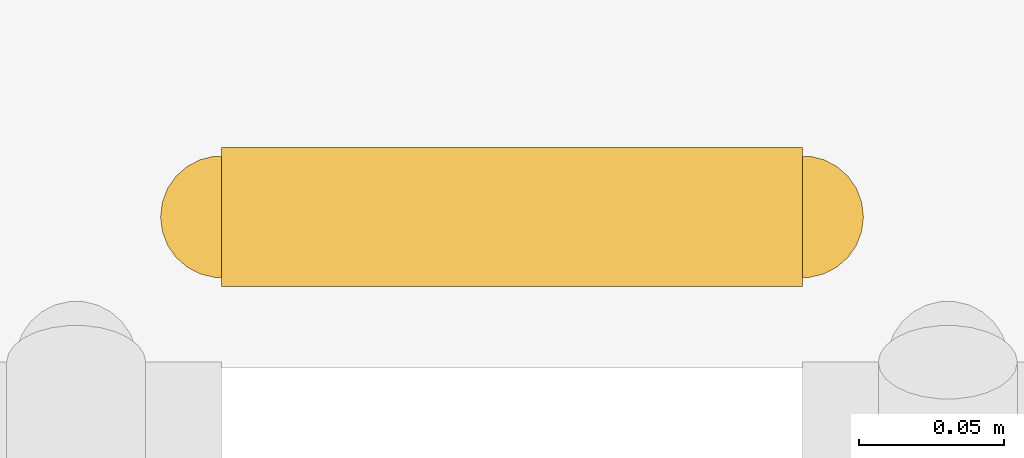
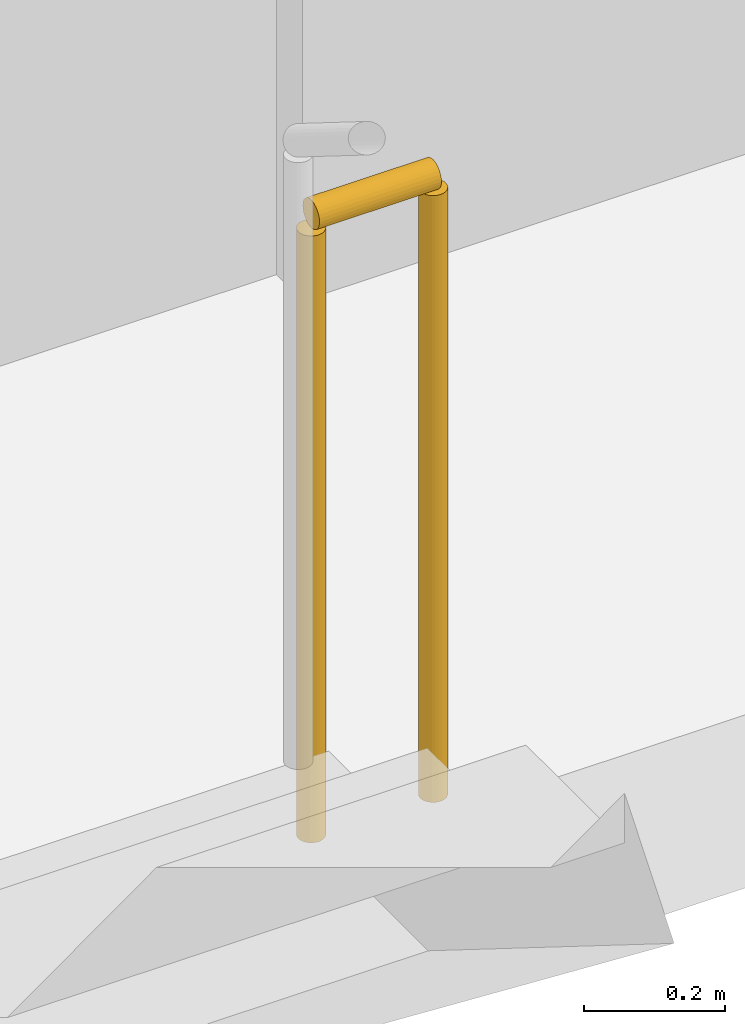
# One storey, part 22 of 22: 1 railing.
"""IFC4 building model written with IfcOpenShell, lengths in metres."""

from ifc_helpers import new_model, si_unit, direction, frame, origin, origin_2d, place, context, subcontext, project, spatial, circle, extrude, material, type_object, element, save


model = new_model("IFC4")

# Units and contexts
model_context = context("Model", 3, precision=1e-05, world=origin(), true_north=direction((0.0, 1.0)))
body_context = subcontext(model_context, "Body", "Model", "MODEL_VIEW")
ifc_project = project(units=[si_unit("LENGTHUNIT", "METRE"), si_unit("AREAUNIT", "SQUARE_METRE"), si_unit("VOLUMEUNIT", "CUBIC_METRE"), si_unit("PLANEANGLEUNIT", "RADIAN"), si_unit("MASSUNIT", "GRAM", prefix="KILO")], contexts=[model_context])

# Site, building, storey
site_placement = place(None, origin())
site = spatial("IfcSite", under=ifc_project, at=site_placement, CompositionType="ELEMENT")
building_placement = place(site_placement, origin())
building = spatial("IfcBuilding", under=site, at=building_placement, Name="Kiln Ring Residences", CompositionType="ELEMENT")
storey_placement = place(building_placement, frame((0.0, 0.0, 58.5)))
storey = spatial("IfcBuildingStorey", under=building, at=storey_placement, Name="L14", CompositionType="ELEMENT", Elevation=58.5)

# Railing
ifc_material = material(Name="Stainless steel", Category="steel")
railing_type = type_object("IfcRailingType", Name="CORE-STAIR-GUARD", PredefinedType="GUARDRAIL", material=ifc_material)
railing_placement = place(storey_placement, frame((22.0, 8.449951171875, 0.0)))
element("IfcRailing", 1, at=railing_placement, inside=storey, type_object=railing_type, Name="L14 E-STN stair guard 4", PredefinedType="GUARDRAIL", context=body_context, shape_type="SweptSolid", body=[
    extrude(circle(Radius=0.02392578125, at=origin_2d()), frame((0.0, 0.0, 1.076171875), z_axis=(1.0, 0.0, 0.0), x_axis=(0.0, 1.0, 0.0)), (0.0, 0.0, 1.0), 0.199951171875),
    extrude(circle(Radius=0.02099609375, at=origin_2d()), origin(), (0.0, 0.0, 1.0), 1.052001953125),
    extrude(circle(Radius=0.02099609375, at=origin_2d()), frame((0.199951171875, 0.0, 0.0)), (0.0, 0.0, 1.0), 1.052001953125),
])

save(model, "model.ifc")
